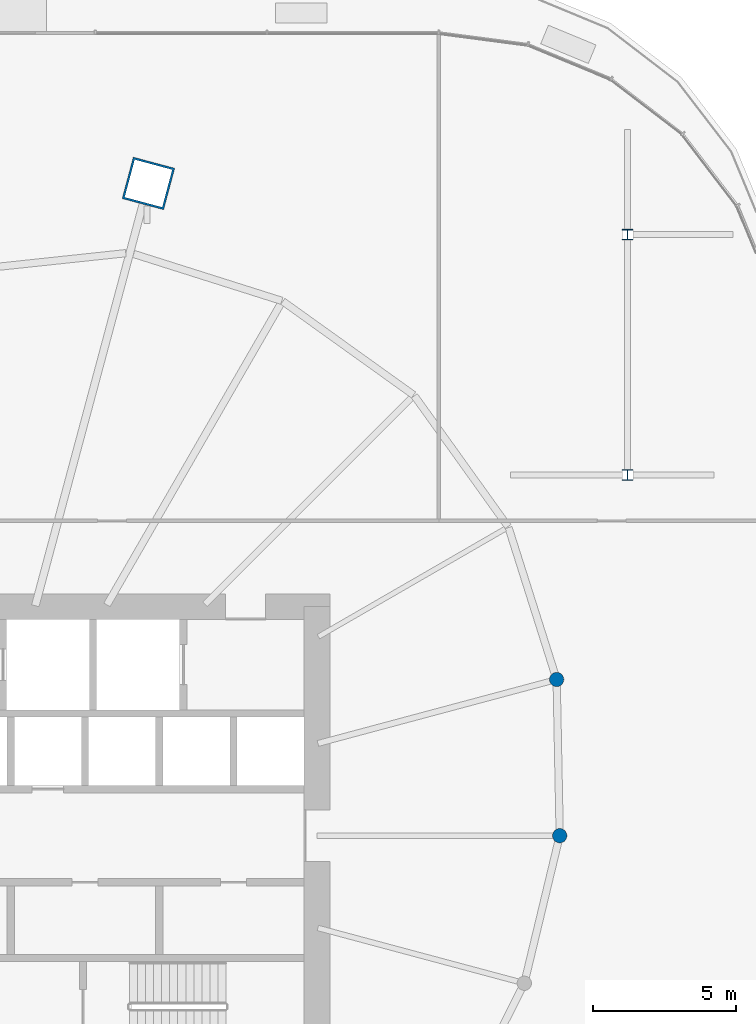
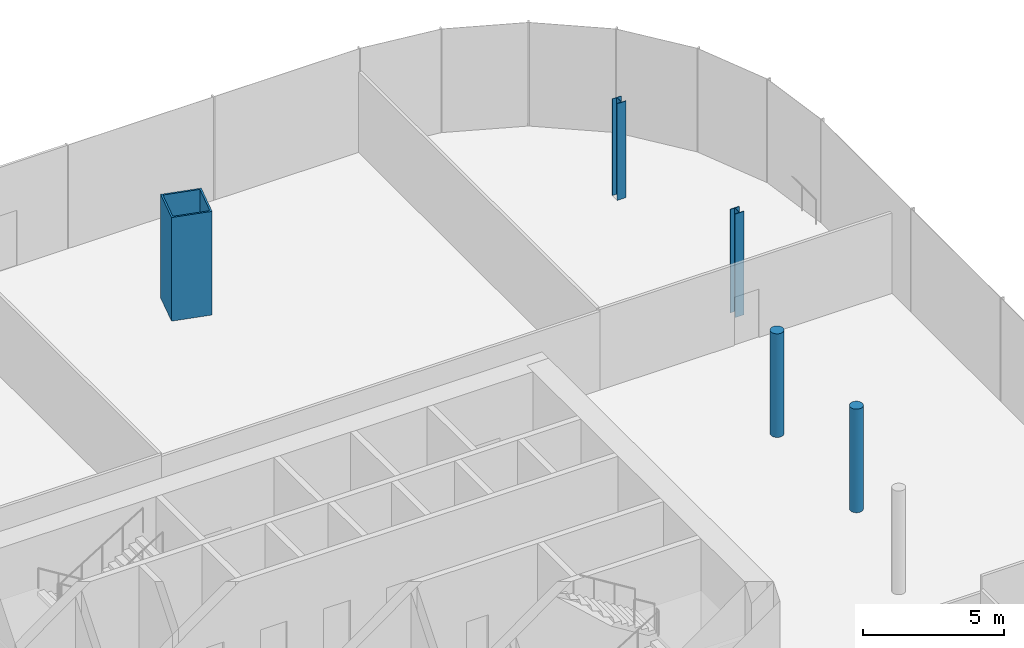
# One storey, part 8 of 52: 5 columns.
"""IFC4 building model written with IfcOpenShell, lengths in metres."""

from ifc_helpers import new_model, si_unit, direction, frame, origin, origin_2d, place, context, subcontext, project, spatial, hollow_rectangle, circle, i_section, extrude, material, material_profile, profile_set, type_object, element, save


model = new_model("IFC4")

# Units and contexts
model_context = context("Model", 3, precision=1e-05, world=origin(), true_north=direction((0.0, 1.0)))
body_context = subcontext(model_context, "Body", "Model", "MODEL_VIEW")
ifc_project = project(units=[si_unit("LENGTHUNIT", "METRE"), si_unit("AREAUNIT", "SQUARE_METRE"), si_unit("VOLUMEUNIT", "CUBIC_METRE"), si_unit("PLANEANGLEUNIT", "RADIAN"), si_unit("MASSUNIT", "GRAM", prefix="KILO")], contexts=[model_context])

# Site, building, storey
site_placement = place(None, origin())
site = spatial("IfcSite", under=ifc_project, at=site_placement, CompositionType="ELEMENT")
building_placement = place(site_placement, origin())
building = spatial("IfcBuilding", under=site, at=building_placement, Name="Rimbun Link Towers", CompositionType="ELEMENT")
storey_placement = place(building_placement, frame((0.0, 0.0, 21.0)))
storey = spatial("IfcBuildingStorey", under=building, at=storey_placement, Name="L04", CompositionType="ELEMENT", Elevation=21.0)

# Columns
ifc_material_1 = material(Name="Steel S460N", Category="steel")
ifc_material_profile_1 = material_profile(ifc_material_1, hollow_rectangle(XDim=1.5, YDim=1.5, WallThickness=0.070068359375, at=origin_2d()), Name="BOX 1500x1500x70")
ifc_profile_set_1 = profile_set([ifc_material_profile_1], Name="Steel S460N")
column_type_1 = type_object("IfcColumnType", Name="BOX 1500x1500x70", PredefinedType="COLUMN", material=ifc_profile_set_1)
column_1_placement = place(storey_placement, frame((37.856689453125, 22.790283203125, 0.0), z_axis=(0.0, 0.0, 1.0), x_axis=(0.258819045103, 0.965925826289, 0.0)))
element("IfcColumn", 1, at=column_1_placement, inside=storey, type_object=column_type_1, Name="Mega column T2 L04 02", PredefinedType="COLUMN", context=body_context, shape_type="SweptSolid", body=[
    extrude(hollow_rectangle(XDim=1.5, YDim=1.5, WallThickness=0.070068359375, at=origin_2d()), origin(), (0.0, 0.0, 1.0), 4.5),
])
ifc_material_2 = material(Name="Concrete C80/95", Category="concrete")
ifc_material_profile_2 = material_profile(ifc_material_2, circle(Radius=0.25, at=origin_2d()), Name="RC D500")
ifc_profile_set_2 = profile_set([ifc_material_profile_2], Name="Concrete C80/95")
column_type_2 = type_object("IfcColumnType", Name="RC D500", PredefinedType="COLUMN", material=ifc_profile_set_2)
for number, where, z_axis, x_axis, name in (
    (2, (52.226318359375, 0.0, 0.0), (0.0, 0.0, 1.0), (1.0, 0.0, 0.0), "Recess post T2 L04 21"),
    (3, (52.118408203125, 5.457763671875, 0.0), (0.0, 0.0, 1.0), (1.0, 0.0, 0.0), "Recess post T2 L04 22"),
):
    element("IfcColumn", number, at=place(storey_placement, frame(where, z_axis=z_axis, x_axis=x_axis)), inside=storey, type_object=column_type_2, Name=name, PredefinedType="COLUMN", context=body_context, shape_type="SweptSolid", body=[
        extrude(circle(Radius=0.25, at=origin_2d()), origin(), (0.0, 0.0, 1.0), 4.5),
    ])
ifc_material_3 = material(Name="Steel S355J2", Category="steel")
ifc_material_profile_3 = material_profile(ifc_material_3, i_section(OverallWidth=0.37060546875, OverallDepth=0.362060546875, WebThickness=0.01220703125, FlangeThickness=0.020751953125, at=origin_2d()), Name="UC 356x368x153")
ifc_profile_set_3 = profile_set([ifc_material_profile_3], Name="Steel S355J2")
column_type_3 = type_object("IfcColumnType", Name="UC 356x368x153", PredefinedType="COLUMN", material=ifc_profile_set_3)
column_2_placement = place(storey_placement, frame((54.60009765625, 12.60009765625, 0.0), z_axis=(0.0, 0.0, 1.0), x_axis=(1.0, 0.0, 0.0)))
element("IfcColumn", 4, at=column_2_placement, inside=storey, type_object=column_type_3, Name="Column L04 +54.6 +12.6", PredefinedType="COLUMN", context=body_context, shape_type="SweptSolid", body=[
    extrude(i_section(OverallWidth=0.37060546875, OverallDepth=0.362060546875, WebThickness=0.01220703125, FlangeThickness=0.020751953125, at=origin_2d()), origin(), (0.0, 0.0, 1.0), 4.5),
])
column_3_placement = place(storey_placement, frame((54.60009765625, 21.0, 0.0), z_axis=(0.0, 0.0, 1.0), x_axis=(1.0, 0.0, 0.0)))
element("IfcColumn", 5, at=column_3_placement, inside=storey, type_object=column_type_3, Name="Column L04 +54.6 +21.0", PredefinedType="COLUMN", context=body_context, shape_type="SweptSolid", body=[
    extrude(i_section(OverallWidth=0.37060546875, OverallDepth=0.362060546875, WebThickness=0.01220703125, FlangeThickness=0.020751953125, at=origin_2d()), origin(), (0.0, 0.0, 1.0), 4.199951171875),
])

save(model, "model.ifc")
